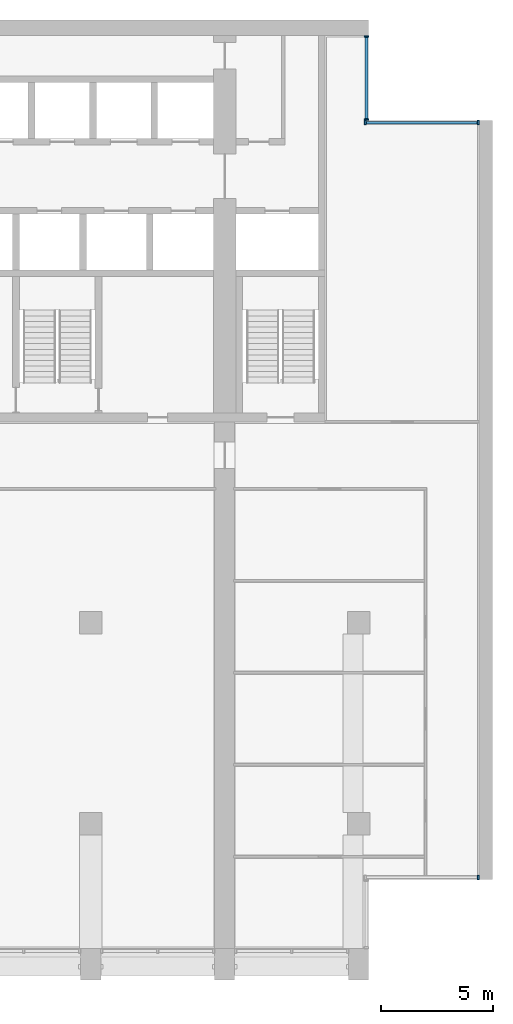
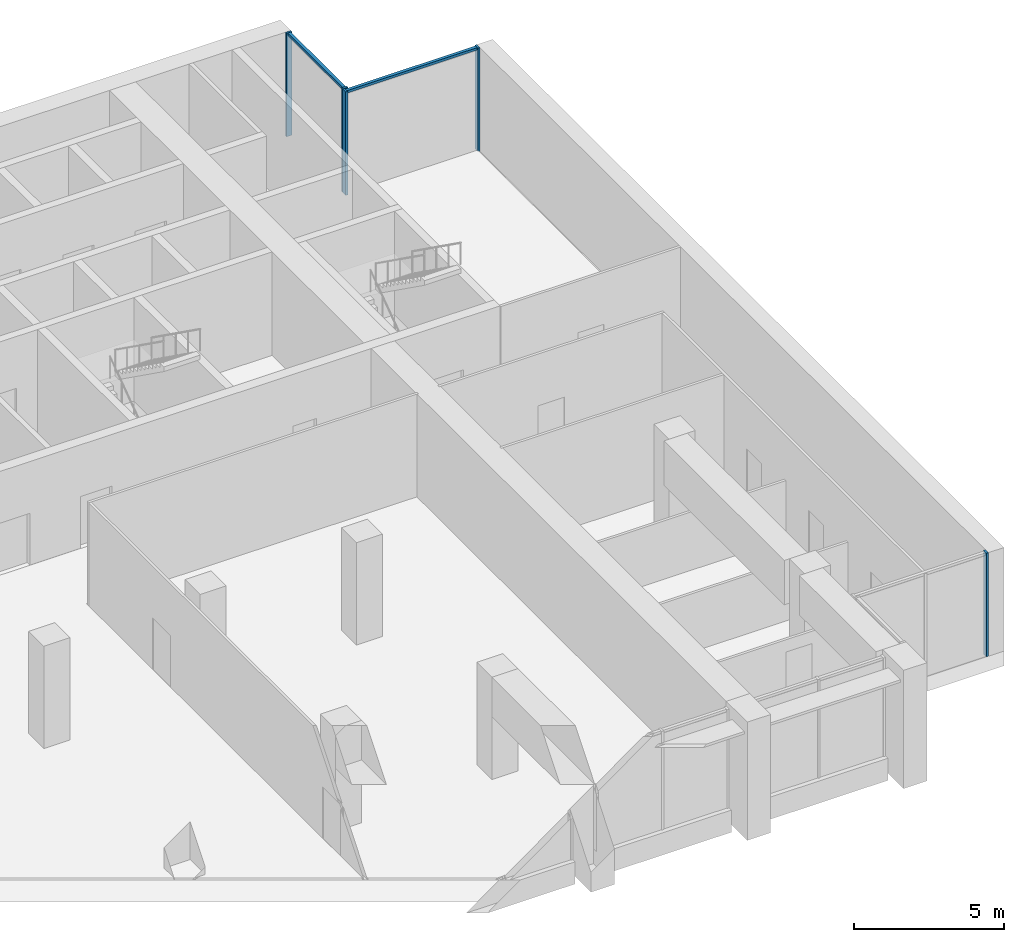
# One storey, part 5 of 13: 7 members, 3 elements without a shape of their own.
"""IFC4 building model written with IfcOpenShell, lengths in metres."""

from ifc_helpers import new_model, si_unit, direction, frame, origin, origin_2d, place, context, subcontext, project, spatial, rectangle, extrude, material, material_profile, profile_set, type_object, element, aggregate, save


model = new_model("IFC4")

# Units and contexts
model_context = context("Model", 3, precision=1e-05, world=origin(), true_north=direction((0.0, 1.0)))
body_context = subcontext(model_context, "Body", "Model", "MODEL_VIEW")
ifc_project = project(units=[si_unit("LENGTHUNIT", "METRE"), si_unit("AREAUNIT", "SQUARE_METRE"), si_unit("VOLUMEUNIT", "CUBIC_METRE"), si_unit("PLANEANGLEUNIT", "RADIAN"), si_unit("MASSUNIT", "GRAM", prefix="KILO")], contexts=[model_context])

# Site, building, storey
site_placement = place(None, origin())
site = spatial("IfcSite", under=ifc_project, at=site_placement, CompositionType="ELEMENT")
building_placement = place(site_placement, origin())
building = spatial("IfcBuilding", under=site, at=building_placement, Name="Calvaro Tower", CompositionType="ELEMENT")
storey_placement = place(building_placement, frame((0.0, 0.0, 226.75)))
storey = spatial("IfcBuildingStorey", under=building, at=storey_placement, Name="L57", CompositionType="ELEMENT", Elevation=226.75)

# Curtain wall, member
ifc_material_1 = material(Name="Anodised aluminium", Category="aluminium")
curtain_wall_type = type_object("IfcCurtainWallType", Name="Louvre wall", PredefinedType="NOTDEFINED", material=ifc_material_1)
curtain_wall_1_placement = place(storey_placement, origin())
curtain_wall_1 = element("IfcCurtainWall", 1, at=curtain_wall_1_placement, inside=storey, type_object=curtain_wall_type, Name="CW8 corner curtain wall", PredefinedType="NOTDEFINED")
ifc_material_2 = material(Name="Anodised aluminium", Category="aluminium")
ifc_material_profile_1 = material_profile(ifc_material_2, rectangle(XDim=0.199951171875, YDim=0.080078125, at=origin_2d()), Name="Mullion LV 80 x 200")
ifc_profile_set_1 = profile_set([ifc_material_profile_1], Name="Anodised aluminium")
member_type_1 = type_object("IfcMemberType", Name="Mullion LV 80 x 200", PredefinedType="MULLION", material=ifc_profile_set_1)
member_1_placement = place(storey_placement, frame((71.360107421875, 7.60009765625, 0.0), z_axis=(0.0, 0.0, 1.0), x_axis=(0.0, 1.0, 0.0)))
member_1 = element("IfcMember", 2, at=member_1_placement, type_object=member_type_1, Name="CW8 mullion 2", PredefinedType="MULLION", context=body_context, shape_type="SweptSolid", body=[
    extrude(rectangle(XDim=0.199951171875, YDim=0.080078125, at=origin_2d()), origin(), (0.0, 0.0, 1.0), 4.199951171875),
])
aggregate(curtain_wall_1, [member_1])

# Curtain wall, members
curtain_wall_2_placement = place(storey_placement, origin())
curtain_wall_2 = element("IfcCurtainWall", 3, at=curtain_wall_2_placement, inside=storey, type_object=curtain_wall_type, Name="CW8 corner curtain wall", PredefinedType="NOTDEFINED")
member_2_placement = place(storey_placement, frame((66.35009765625, 41.5400390625, 0.0), z_axis=(0.0, 0.0, 1.0), x_axis=(-1.0, 0.0, 0.0)))
member_2 = element("IfcMember", 4, at=member_2_placement, type_object=member_type_1, Name="CW8 mullion 1", PredefinedType="MULLION", context=body_context, shape_type="SweptSolid", body=[
    extrude(rectangle(XDim=0.199951171875, YDim=0.080078125, at=origin_2d()), origin(), (0.0, 0.0, 1.0), 4.199951171875),
])
member_3_placement = place(storey_placement, frame((66.35009765625, 45.260009765625, 0.0), z_axis=(0.0, 0.0, 1.0), x_axis=(-1.0, 0.0, 0.0)))
member_3 = element("IfcMember", 5, at=member_3_placement, type_object=member_type_1, Name="CW8 mullion 2", PredefinedType="MULLION", context=body_context, shape_type="SweptSolid", body=[
    extrude(rectangle(XDim=0.199951171875, YDim=0.080078125, at=origin_2d()), origin(), (0.0, 0.0, 1.0), 4.199951171875),
])

curtain_wall_3_placement = place(storey_placement, origin())
curtain_wall_3 = element("IfcCurtainWall", 6, at=curtain_wall_3_placement, inside=storey, type_object=curtain_wall_type, Name="CW8 corner curtain wall", PredefinedType="NOTDEFINED")
member_4_placement = place(storey_placement, frame((66.2900390625, 41.39990234375, 0.0), z_axis=(0.0, 0.0, 1.0), x_axis=(0.0, 1.0, 0.0)))
member_4 = element("IfcMember", 7, at=member_4_placement, type_object=member_type_1, Name="CW8 mullion 1", PredefinedType="MULLION", context=body_context, shape_type="SweptSolid", body=[
    extrude(rectangle(XDim=0.199951171875, YDim=0.080078125, at=origin_2d()), origin(), (0.0, 0.0, 1.0), 4.199951171875),
])
member_5_placement = place(storey_placement, frame((71.360107421875, 41.39990234375, 0.0), z_axis=(0.0, 0.0, 1.0), x_axis=(0.0, 1.0, 0.0)))
member_5 = element("IfcMember", 8, at=member_5_placement, type_object=member_type_1, Name="CW8 mullion 2", PredefinedType="MULLION", context=body_context, shape_type="SweptSolid", body=[
    extrude(rectangle(XDim=0.199951171875, YDim=0.080078125, at=origin_2d()), origin(), (0.0, 0.0, 1.0), 4.199951171875),
])

# Member
ifc_material_3 = material(Name="Anodised aluminium", Category="aluminium")
ifc_material_profile_2 = material_profile(ifc_material_3, rectangle(XDim=0.1201171875, YDim=0.10009765625, at=origin_2d()), Name="Transom LV 100 x 120")
ifc_profile_set_2 = profile_set([ifc_material_profile_2], Name="Anodised aluminium")
member_type_2 = type_object("IfcMemberType", Name="Transom LV 100 x 120", PredefinedType="USERDEFINED", material=ifc_profile_set_2)
member_6_placement = place(storey_placement, frame((66.35009765625, 41.580078125, 4.14990234375), z_axis=(0.0, 1.0, 0.0), x_axis=(-1.0, 0.0, 0.0)))
member_6 = element("IfcMember", 9, at=member_6_placement, type_object=member_type_2, Name="CW8 transom 1.1", ObjectType="TRANSOM", PredefinedType="USERDEFINED", context=body_context, shape_type="SweptSolid", body=[
    extrude(rectangle(XDim=0.1201171875, YDim=0.10009765625, at=origin_2d()), origin(), (0.0, 0.0, 1.0), 3.639892578125),
])

aggregate(curtain_wall_2, [member_2, member_3, member_6])

member_7_placement = place(storey_placement, frame((66.330078125, 41.39990234375, 4.14990234375), z_axis=(1.0, 0.0, 0.0), x_axis=(0.0, 1.0, 0.0)))
member_7 = element("IfcMember", 10, at=member_7_placement, type_object=member_type_2, Name="CW8 transom 1.1", ObjectType="TRANSOM", PredefinedType="USERDEFINED", context=body_context, shape_type="SweptSolid", body=[
    extrude(rectangle(XDim=0.1201171875, YDim=0.10009765625, at=origin_2d()), origin(), (0.0, 0.0, 1.0), 4.989990234375),
])

aggregate(curtain_wall_3, [member_4, member_5, member_7])

save(model, "model.ifc")
